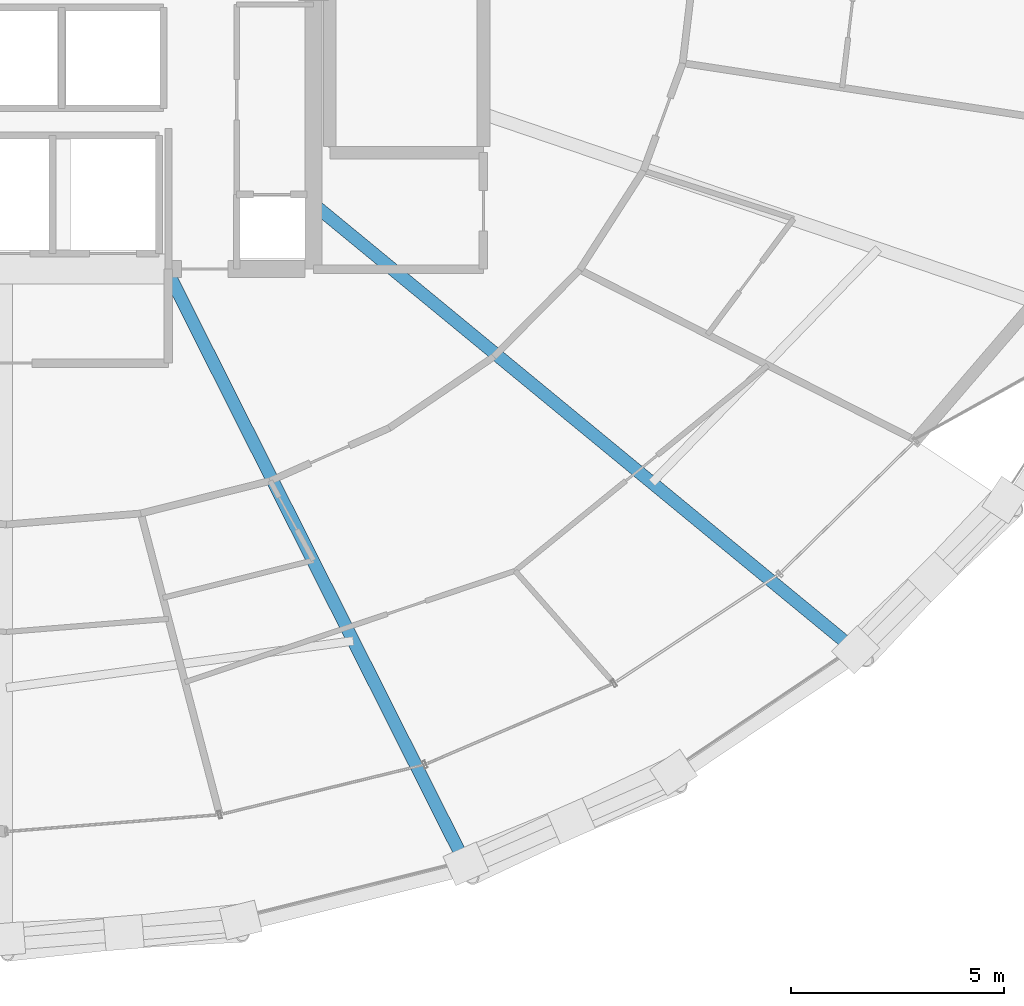
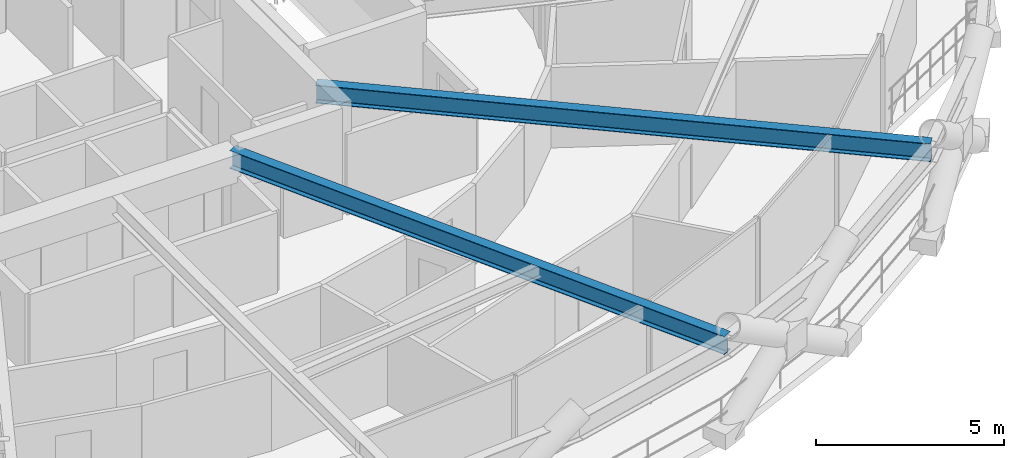
# One storey, part 9 of 19: 2 beams.
"""IFC4 building model written with IfcOpenShell, lengths in metres."""

from ifc_helpers import new_model, si_unit, direction, frame, origin, origin_2d, place, context, subcontext, project, spatial, i_section, extrude, material, material_profile, profile_set, type_object, element, save


model = new_model("IFC4")

# Units and contexts
model_context = context("Model", 3, precision=1e-05, world=origin(), true_north=direction((0.0, 1.0)))
body_context = subcontext(model_context, "Body", "Model", "MODEL_VIEW")
ifc_project = project(units=[si_unit("LENGTHUNIT", "METRE"), si_unit("AREAUNIT", "SQUARE_METRE"), si_unit("VOLUMEUNIT", "CUBIC_METRE"), si_unit("PLANEANGLEUNIT", "RADIAN"), si_unit("MASSUNIT", "GRAM", prefix="KILO")], contexts=[model_context])

# Site, building, storey
site_placement = place(None, origin())
site = spatial("IfcSite", under=ifc_project, at=site_placement, CompositionType="ELEMENT")
building_placement = place(site_placement, origin())
building = spatial("IfcBuilding", under=site, at=building_placement, Name="Veldorina Hangang Commons", CompositionType="ELEMENT")
storey_placement = place(building_placement, frame((0.0, 0.0, 44.800048828125)))
storey = spatial("IfcBuildingStorey", under=building, at=storey_placement, Name="L10", CompositionType="ELEMENT", Elevation=44.800048828125)

# Beams
ifc_material = material(Name="Steel SM460-TMC", Category="steel")
ifc_material_profile = material_profile(ifc_material, i_section(OverallWidth=0.300048828125, OverallDepth=0.587890625, WebThickness=0.011962890625, FlangeThickness=0.02001953125, FilletRadius=0.01806640625, at=origin_2d()), Name="H-588x300x12x20")
ifc_profile_set = profile_set([ifc_material_profile], Name="Steel SM460-TMC")
beam_type = type_object("IfcBeamType", Name="BM-FG588", PredefinedType="BEAM", material=ifc_profile_set)
beam_1_placement = place(storey_placement, frame((35.748779296875, 16.550048828125, 3.0458984375), z_axis=(0.449502945432, -0.893278848987, 0.0), x_axis=(0.893278848987, 0.449502945432, 0.0)))
element("IfcBeam", 1, at=beam_1_placement, inside=storey, type_object=beam_type, Name="L10 radial floor girder 14", PredefinedType="BEAM", context=body_context, shape_type="SweptSolid", body=[
    extrude(i_section(OverallWidth=0.300048828125, OverallDepth=0.587890625, WebThickness=0.011962890625, FlangeThickness=0.02001953125, FilletRadius=0.01806640625, at=origin_2d()), origin(), (0.0, 0.0, 1.0), 15.730224609375),
])
beam_2_placement = place(storey_placement, frame((39.199951171875, 18.0732421875, 3.0458984375), z_axis=(0.772078234701, -0.635527497045, 0.0), x_axis=(0.635527497045, 0.772078234701, 0.0)))
element("IfcBeam", 2, at=beam_2_placement, inside=storey, type_object=beam_type, Name="L10 radial floor girder 15", PredefinedType="BEAM", context=body_context, shape_type="SweptSolid", body=[
    extrude(i_section(OverallWidth=0.300048828125, OverallDepth=0.587890625, WebThickness=0.011962890625, FlangeThickness=0.02001953125, FilletRadius=0.01806640625, at=origin_2d()), origin(), (0.0, 0.0, 1.0), 16.568603515625),
])

save(model, "model.ifc")
